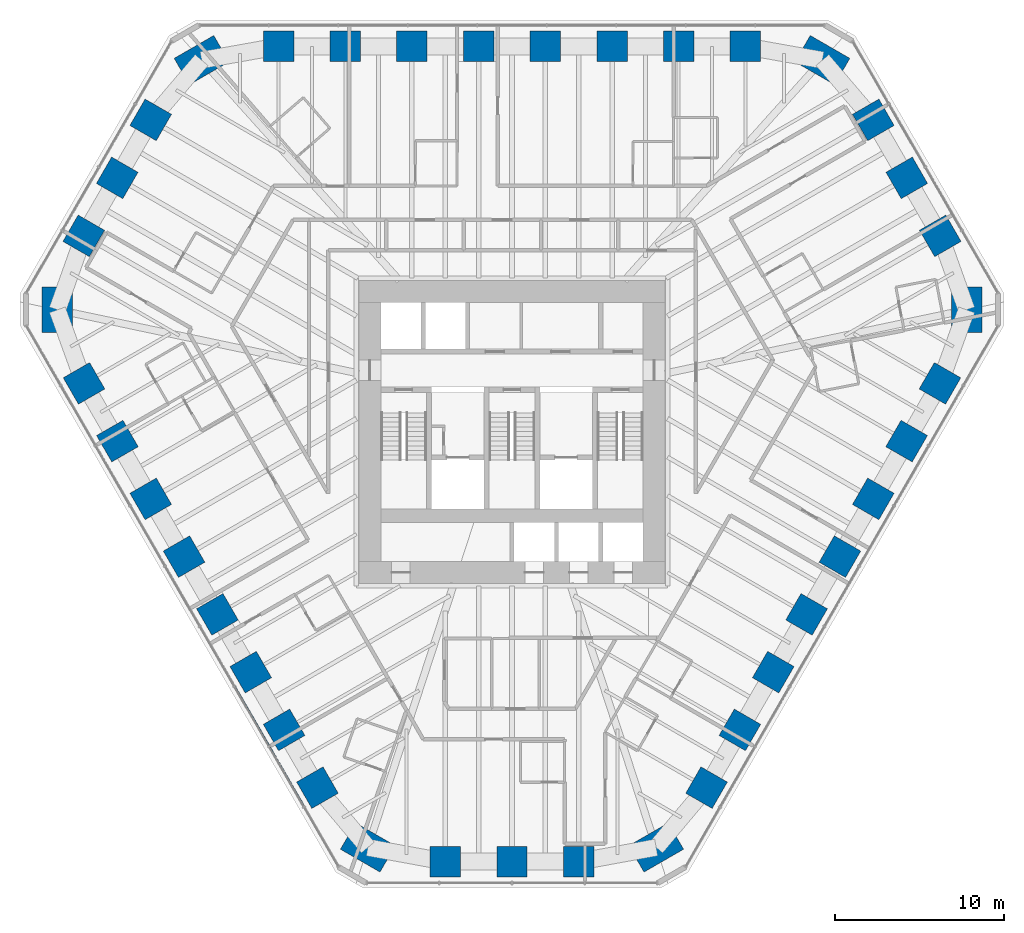
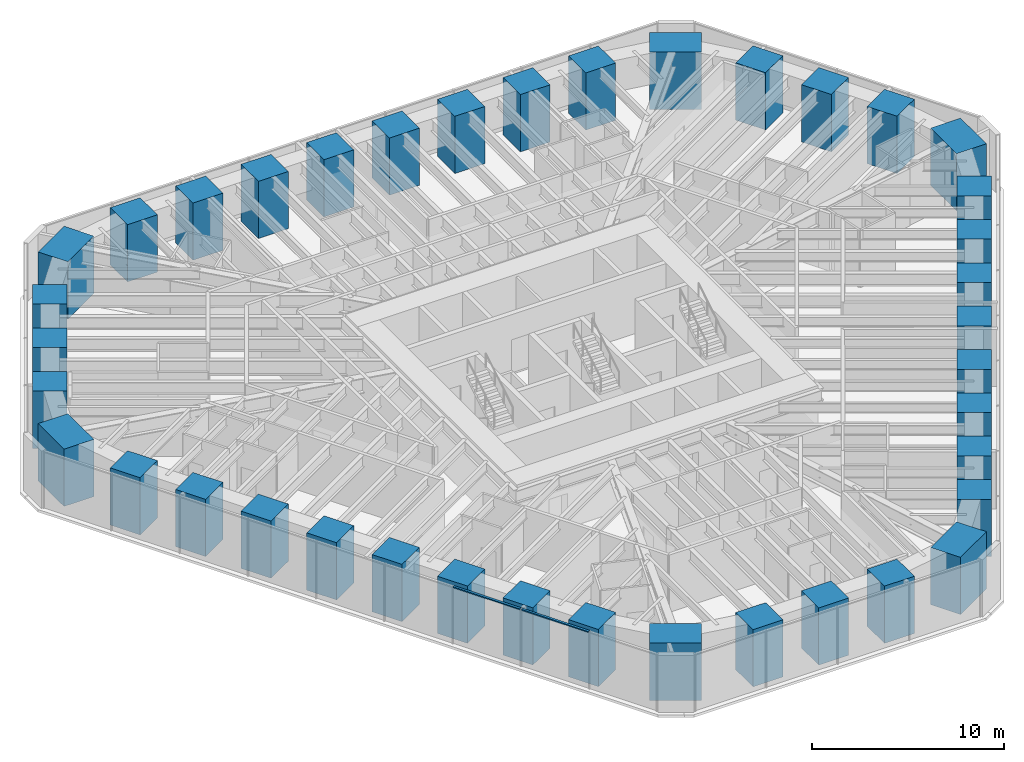
# One storey, part 1 of 17: 39 columns, 2 members, 1 element without a shape of its own.
"""IFC4 building model written with IfcOpenShell, lengths in metres."""

from ifc_helpers import new_model, si_unit, direction, frame, origin, origin_2d, place, context, subcontext, project, spatial, rectangle, extrude, clip, halfspace, material, material_profile, profile_set, type_object, element, aggregate, save


model = new_model("IFC4")

# Units and contexts
model_context = context("Model", 3, precision=1e-05, world=origin(), true_north=direction((0.0, 1.0)))
body_context = subcontext(model_context, "Body", "Model", "MODEL_VIEW")
ifc_project = project(units=[si_unit("LENGTHUNIT", "METRE"), si_unit("AREAUNIT", "SQUARE_METRE"), si_unit("VOLUMEUNIT", "CUBIC_METRE"), si_unit("PLANEANGLEUNIT", "RADIAN"), si_unit("MASSUNIT", "GRAM", prefix="KILO")], contexts=[model_context])

# Site, building, storey
site_placement = place(None, origin())
site = spatial("IfcSite", under=ifc_project, at=site_placement, CompositionType="ELEMENT")
building_placement = place(site_placement, origin())
building = spatial("IfcBuilding", under=site, at=building_placement, Name="Sandreach Pilgrim Tower", CompositionType="ELEMENT")
storey_placement = place(building_placement, frame((0.0, 0.0, 146.199951171875)))
storey = spatial("IfcBuildingStorey", under=building, at=storey_placement, Name="L36", CompositionType="ELEMENT", Elevation=146.199951171875)

# Columns
ifc_material_1 = material(Name="Concrete 10000 psi", Category="concrete")
ifc_material_profile_1 = material_profile(ifc_material_1, rectangle(XDim=1.800048828125, YDim=1.800048828125, at=origin_2d()), Name="RC1800X1800")
ifc_profile_set_1 = profile_set([ifc_material_profile_1], Name="Concrete 10000 psi")
column_type_1 = type_object("IfcColumnType", Name="Tube column RC1800X1800", PredefinedType="COLUMN", material=ifc_profile_set_1)
column_1_placement = place(storey_placement, frame((-13.789794921875, 21.23388671875, 0.0), z_axis=(0.0, 0.0, 1.0), x_axis=(0.0, 1.0, 0.0)))
element("IfcColumn", 1, at=column_1_placement, inside=storey, type_object=column_type_1, Name="COL L36 T01", PredefinedType="COLUMN", context=body_context, shape_type="SweptSolid", body=[
    clip(extrude(rectangle(XDim=1.800048828125, YDim=1.800048828125, at=origin_2d()), origin(), (0.0, 0.0, 1.0), 3.72998046875), halfspace(frame((0.0, 0.0, 3.64013671875)), False)),
])
column_2_placement = place(storey_placement, frame((-9.849853515625, 21.23388671875, 0.0), z_axis=(0.0, 0.0, 1.0), x_axis=(0.0, 1.0, 0.0)))
element("IfcColumn", 2, at=column_2_placement, inside=storey, type_object=column_type_1, Name="COL L36 T02", PredefinedType="COLUMN", context=body_context, shape_type="SweptSolid", body=[
    clip(extrude(rectangle(XDim=1.800048828125, YDim=1.800048828125, at=origin_2d()), origin(), (0.0, 0.0, 1.0), 3.73779296875), halfspace(frame((0.0, 0.0, 3.64013671875)), False)),
])
column_3_placement = place(storey_placement, frame((-5.909912109375, 21.23388671875, 0.0), z_axis=(0.0, 0.0, 1.0), x_axis=(0.0, 1.0, 0.0)))
element("IfcColumn", 3, at=column_3_placement, inside=storey, type_object=column_type_1, Name="COL L36 T03", PredefinedType="COLUMN", context=body_context, shape_type="SweptSolid", body=[
    clip(extrude(rectangle(XDim=1.800048828125, YDim=1.800048828125, at=origin_2d()), origin(), (0.0, 0.0, 1.0), 3.74560546875), halfspace(frame((0.0, 0.0, 3.64013671875)), False)),
])
for number, where, z_axis, x_axis, name in (
    (4, (-1.969970703125, 21.23388671875, 0.0), (0.0, 0.0, 1.0), (0.0, 1.0, 0.0), "COL L36 T04"),
    (5, (1.969970703125, 21.23388671875, 0.0), (0.0, 0.0, 1.0), (0.0, 1.0, 0.0), "COL L36 T05"),
):
    element("IfcColumn", number, at=place(storey_placement, frame(where, z_axis=z_axis, x_axis=x_axis)), inside=storey, type_object=column_type_1, Name=name, PredefinedType="COLUMN", context=body_context, shape_type="SweptSolid", body=[
        clip(extrude(rectangle(XDim=1.800048828125, YDim=1.800048828125, at=origin_2d()), origin(), (0.0, 0.0, 1.0), 3.753662109375), halfspace(frame((0.0, 0.0, 3.64013671875)), False)),
    ])
column_4_placement = place(storey_placement, frame((5.909912109375, 21.23388671875, 0.0), z_axis=(0.0, 0.0, 1.0), x_axis=(0.0, 1.0, 0.0)))
element("IfcColumn", 6, at=column_4_placement, inside=storey, type_object=column_type_1, Name="COL L36 T06", PredefinedType="COLUMN", context=body_context, shape_type="SweptSolid", body=[
    clip(extrude(rectangle(XDim=1.800048828125, YDim=1.800048828125, at=origin_2d()), origin(), (0.0, 0.0, 1.0), 3.74560546875), halfspace(frame((0.0, 0.0, 3.64013671875)), False)),
])
column_5_placement = place(storey_placement, frame((9.849853515625, 21.23388671875, 0.0), z_axis=(0.0, 0.0, 1.0), x_axis=(0.0, 1.0, 0.0)))
element("IfcColumn", 7, at=column_5_placement, inside=storey, type_object=column_type_1, Name="COL L36 T07", PredefinedType="COLUMN", context=body_context, shape_type="SweptSolid", body=[
    clip(extrude(rectangle(XDim=1.800048828125, YDim=1.800048828125, at=origin_2d()), origin(), (0.0, 0.0, 1.0), 3.73779296875), halfspace(frame((0.0, 0.0, 3.64013671875)), False)),
])
column_6_placement = place(storey_placement, frame((13.789794921875, 21.23388671875, 0.0), z_axis=(0.0, 0.0, 1.0), x_axis=(0.0, 1.0, 0.0)))
element("IfcColumn", 8, at=column_6_placement, inside=storey, type_object=column_type_1, Name="COL L36 T08", PredefinedType="COLUMN", context=body_context, shape_type="SweptSolid", body=[
    clip(extrude(rectangle(XDim=1.800048828125, YDim=1.800048828125, at=origin_2d()), origin(), (0.0, 0.0, 1.0), 3.72998046875), halfspace(frame((0.0, 0.0, 3.64013671875)), False)),
])
column_7_placement = place(storey_placement, frame((21.346435546875, 16.891357421875, 0.0), z_axis=(0.0, 0.0, 1.0), x_axis=(0.866025403784, 0.5, 0.0)))
element("IfcColumn", 9, at=column_7_placement, inside=storey, type_object=column_type_1, Name="COL L36 T10", PredefinedType="COLUMN", context=body_context, shape_type="SweptSolid", body=[
    clip(extrude(rectangle(XDim=1.800048828125, YDim=1.800048828125, at=origin_2d()), origin(), (0.0, 0.0, 1.0), 3.7392578125), halfspace(frame((0.0, 0.0, 3.64013671875)), False)),
])
column_8_placement = place(storey_placement, frame((23.323974609375, 13.466064453125, 0.0), z_axis=(0.0, 0.0, 1.0), x_axis=(0.866025403784, 0.5, 0.0)))
element("IfcColumn", 10, at=column_8_placement, inside=storey, type_object=column_type_1, Name="COL L36 T11", PredefinedType="COLUMN", context=body_context, shape_type="SweptSolid", body=[
    clip(extrude(rectangle(XDim=1.800048828125, YDim=1.800048828125, at=origin_2d()), origin(), (0.0, 0.0, 1.0), 3.746826171875), halfspace(frame((0.0, 0.0, 3.64013671875)), False)),
])
column_9_placement = place(storey_placement, frame((25.301513671875, 10.040771484375, 0.0), z_axis=(0.0, 0.0, 1.0), x_axis=(0.866025403784, 0.5, 0.0)))
element("IfcColumn", 11, at=column_9_placement, inside=storey, type_object=column_type_1, Name="COL L36 T12", PredefinedType="COLUMN", context=body_context, shape_type="SweptSolid", body=[
    clip(extrude(rectangle(XDim=1.800048828125, YDim=1.800048828125, at=origin_2d()), origin(), (0.0, 0.0, 1.0), 3.7392578125), halfspace(frame((0.0, 0.0, 3.64013671875)), False)),
])
column_10_placement = place(storey_placement, frame((25.283935546875, 1.325439453125, 0.0), z_axis=(0.0, 0.0, 1.0), x_axis=(0.866025403784, -0.5, 0.0)))
element("IfcColumn", 12, at=column_10_placement, inside=storey, type_object=column_type_1, Name="COL L36 T14", PredefinedType="COLUMN", context=body_context, shape_type="SweptSolid", body=[
    clip(extrude(rectangle(XDim=1.800048828125, YDim=1.800048828125, at=origin_2d()), origin(), (0.0, 0.0, 1.0), 3.72998046875), halfspace(frame((0.0, 0.0, 3.64013671875)), False)),
])
column_11_placement = place(storey_placement, frame((23.31396484375, -2.086669921875, 0.0), z_axis=(0.0, 0.0, 1.0), x_axis=(0.866025403784, -0.5, 0.0)))
element("IfcColumn", 13, at=column_11_placement, inside=storey, type_object=column_type_1, Name="COL L36 T15", PredefinedType="COLUMN", context=body_context, shape_type="SweptSolid", body=[
    clip(extrude(rectangle(XDim=1.800048828125, YDim=1.800048828125, at=origin_2d()), origin(), (0.0, 0.0, 1.0), 3.73779296875), halfspace(frame((0.0, 0.0, 3.64013671875)), False)),
])
column_12_placement = place(storey_placement, frame((21.343994140625, -5.498779296875, 0.0), z_axis=(0.0, 0.0, 1.0), x_axis=(0.866025403784, -0.5, 0.0)))
element("IfcColumn", 14, at=column_12_placement, inside=storey, type_object=column_type_1, Name="COL L36 T16", PredefinedType="COLUMN", context=body_context, shape_type="SweptSolid", body=[
    clip(extrude(rectangle(XDim=1.800048828125, YDim=1.800048828125, at=origin_2d()), origin(), (0.0, 0.0, 1.0), 3.74560546875), halfspace(frame((0.0, 0.0, 3.64013671875)), False)),
])
for number, where, z_axis, x_axis, name in (
    (15, (19.3740234375, -8.910888671875, 0.0), (0.0, 0.0, 1.0), (0.866025403784, -0.5, 0.0), "COL L36 T17"),
    (16, (17.404052734375, -12.322998046875, 0.0), (0.0, 0.0, 1.0), (0.866025403784, -0.5, 0.0), "COL L36 T18"),
):
    element("IfcColumn", number, at=place(storey_placement, frame(where, z_axis=z_axis, x_axis=x_axis)), inside=storey, type_object=column_type_1, Name=name, PredefinedType="COLUMN", context=body_context, shape_type="SweptSolid", body=[
        clip(extrude(rectangle(XDim=1.800048828125, YDim=1.800048828125, at=origin_2d()), origin(), (0.0, 0.0, 1.0), 3.753662109375), halfspace(frame((0.0, 0.0, 3.64013671875)), False)),
    ])
column_13_placement = place(storey_placement, frame((15.43408203125, -15.735107421875, 0.0), z_axis=(0.0, 0.0, 1.0), x_axis=(0.866025403784, -0.5, 0.0)))
element("IfcColumn", 17, at=column_13_placement, inside=storey, type_object=column_type_1, Name="COL L36 T19", PredefinedType="COLUMN", context=body_context, shape_type="SweptSolid", body=[
    clip(extrude(rectangle(XDim=1.800048828125, YDim=1.800048828125, at=origin_2d()), origin(), (0.0, 0.0, 1.0), 3.74560546875), halfspace(frame((0.0, 0.0, 3.64013671875)), False)),
])
column_14_placement = place(storey_placement, frame((13.464111328125, -19.147216796875, 0.0), z_axis=(0.0, 0.0, 1.0), x_axis=(0.866025403784, -0.5, 0.0)))
element("IfcColumn", 18, at=column_14_placement, inside=storey, type_object=column_type_1, Name="COL L36 T20", PredefinedType="COLUMN", context=body_context, shape_type="SweptSolid", body=[
    clip(extrude(rectangle(XDim=1.800048828125, YDim=1.800048828125, at=origin_2d()), origin(), (0.0, 0.0, 1.0), 3.73779296875), halfspace(frame((0.0, 0.0, 3.64013671875)), False)),
])
column_15_placement = place(storey_placement, frame((11.494140625, -22.559326171875, 0.0), z_axis=(0.0, 0.0, 1.0), x_axis=(0.866025403784, -0.5, 0.0)))
element("IfcColumn", 19, at=column_15_placement, inside=storey, type_object=column_type_1, Name="COL L36 T21", PredefinedType="COLUMN", context=body_context, shape_type="SweptSolid", body=[
    clip(extrude(rectangle(XDim=1.800048828125, YDim=1.800048828125, at=origin_2d()), origin(), (0.0, 0.0, 1.0), 3.72998046875), halfspace(frame((0.0, 0.0, 3.64013671875)), False)),
])
column_16_placement = place(storey_placement, frame((3.955322265625, -26.93212890625, 0.0), z_axis=(0.0, 0.0, 1.0), x_axis=(0.0, -1.0, 0.0)))
element("IfcColumn", 20, at=column_16_placement, inside=storey, type_object=column_type_1, Name="COL L36 T23", PredefinedType="COLUMN", context=body_context, shape_type="SweptSolid", body=[
    clip(extrude(rectangle(XDim=1.800048828125, YDim=1.800048828125, at=origin_2d()), origin(), (0.0, 0.0, 1.0), 3.7392578125), halfspace(frame((0.0, 0.0, 3.64013671875)), False)),
])
column_17_placement = place(storey_placement, frame((0.0, -26.93212890625, 0.0), z_axis=(0.0, 0.0, 1.0), x_axis=(0.0, -1.0, 0.0)))
element("IfcColumn", 21, at=column_17_placement, inside=storey, type_object=column_type_1, Name="COL L36 T24", PredefinedType="COLUMN", context=body_context, shape_type="SweptSolid", body=[
    clip(extrude(rectangle(XDim=1.800048828125, YDim=1.800048828125, at=origin_2d()), origin(), (0.0, 0.0, 1.0), 3.746826171875), halfspace(frame((0.0, 0.0, 3.64013671875)), False)),
])
column_18_placement = place(storey_placement, frame((-3.955322265625, -26.93212890625, 0.0), z_axis=(0.0, 0.0, 1.0), x_axis=(0.0, -1.0, 0.0)))
element("IfcColumn", 22, at=column_18_placement, inside=storey, type_object=column_type_1, Name="COL L36 T25", PredefinedType="COLUMN", context=body_context, shape_type="SweptSolid", body=[
    clip(extrude(rectangle(XDim=1.800048828125, YDim=1.800048828125, at=origin_2d()), origin(), (0.0, 0.0, 1.0), 3.7392578125), halfspace(frame((0.0, 0.0, 3.64013671875)), False)),
])
column_19_placement = place(storey_placement, frame((-11.494140625, -22.559326171875, 0.0), z_axis=(0.0, 0.0, 1.0), x_axis=(-0.866025403784, -0.5, 0.0)))
element("IfcColumn", 23, at=column_19_placement, inside=storey, type_object=column_type_1, Name="COL L36 T27", PredefinedType="COLUMN", context=body_context, shape_type="SweptSolid", body=[
    clip(extrude(rectangle(XDim=1.800048828125, YDim=1.800048828125, at=origin_2d()), origin(), (0.0, 0.0, 1.0), 3.72998046875), halfspace(frame((0.0, 0.0, 3.64013671875)), False)),
])
column_20_placement = place(storey_placement, frame((-13.464111328125, -19.147216796875, 0.0), z_axis=(0.0, 0.0, 1.0), x_axis=(-0.866025403784, -0.5, 0.0)))
element("IfcColumn", 24, at=column_20_placement, inside=storey, type_object=column_type_1, Name="COL L36 T28", PredefinedType="COLUMN", context=body_context, shape_type="SweptSolid", body=[
    clip(extrude(rectangle(XDim=1.800048828125, YDim=1.800048828125, at=origin_2d()), origin(), (0.0, 0.0, 1.0), 3.73779296875), halfspace(frame((0.0, 0.0, 3.64013671875)), False)),
])
column_21_placement = place(storey_placement, frame((-15.43408203125, -15.735107421875, 0.0), z_axis=(0.0, 0.0, 1.0), x_axis=(-0.866025403784, -0.5, 0.0)))
element("IfcColumn", 25, at=column_21_placement, inside=storey, type_object=column_type_1, Name="COL L36 T29", PredefinedType="COLUMN", context=body_context, shape_type="SweptSolid", body=[
    clip(extrude(rectangle(XDim=1.800048828125, YDim=1.800048828125, at=origin_2d()), origin(), (0.0, 0.0, 1.0), 3.74560546875), halfspace(frame((0.0, 0.0, 3.64013671875)), False)),
])
for number, where, z_axis, x_axis, name in (
    (26, (-17.404052734375, -12.322998046875, 0.0), (0.0, 0.0, 1.0), (-0.866025403784, -0.5, 0.0), "COL L36 T30"),
    (27, (-19.3740234375, -8.910888671875, 0.0), (0.0, 0.0, 1.0), (-0.866025403784, -0.5, 0.0), "COL L36 T31"),
):
    element("IfcColumn", number, at=place(storey_placement, frame(where, z_axis=z_axis, x_axis=x_axis)), inside=storey, type_object=column_type_1, Name=name, PredefinedType="COLUMN", context=body_context, shape_type="SweptSolid", body=[
        clip(extrude(rectangle(XDim=1.800048828125, YDim=1.800048828125, at=origin_2d()), origin(), (0.0, 0.0, 1.0), 3.753662109375), halfspace(frame((0.0, 0.0, 3.64013671875)), False)),
    ])
column_22_placement = place(storey_placement, frame((-21.343994140625, -5.498779296875, 0.0), z_axis=(0.0, 0.0, 1.0), x_axis=(-0.866025403784, -0.5, 0.0)))
element("IfcColumn", 28, at=column_22_placement, inside=storey, type_object=column_type_1, Name="COL L36 T32", PredefinedType="COLUMN", context=body_context, shape_type="SweptSolid", body=[
    clip(extrude(rectangle(XDim=1.800048828125, YDim=1.800048828125, at=origin_2d()), origin(), (0.0, 0.0, 1.0), 3.74560546875), halfspace(frame((0.0, 0.0, 3.64013671875)), False)),
])
column_23_placement = place(storey_placement, frame((-23.31396484375, -2.086669921875, 0.0), z_axis=(0.0, 0.0, 1.0), x_axis=(-0.866025403784, -0.5, 0.0)))
element("IfcColumn", 29, at=column_23_placement, inside=storey, type_object=column_type_1, Name="COL L36 T33", PredefinedType="COLUMN", context=body_context, shape_type="SweptSolid", body=[
    clip(extrude(rectangle(XDim=1.800048828125, YDim=1.800048828125, at=origin_2d()), origin(), (0.0, 0.0, 1.0), 3.73779296875), halfspace(frame((0.0, 0.0, 3.64013671875)), False)),
])
column_24_placement = place(storey_placement, frame((-25.283935546875, 1.325439453125, 0.0), z_axis=(0.0, 0.0, 1.0), x_axis=(-0.866025403784, -0.5, 0.0)))
element("IfcColumn", 30, at=column_24_placement, inside=storey, type_object=column_type_1, Name="COL L36 T34", PredefinedType="COLUMN", context=body_context, shape_type="SweptSolid", body=[
    clip(extrude(rectangle(XDim=1.800048828125, YDim=1.800048828125, at=origin_2d()), origin(), (0.0, 0.0, 1.0), 3.72998046875), halfspace(frame((0.0, 0.0, 3.64013671875)), False)),
])
column_25_placement = place(storey_placement, frame((-25.301513671875, 10.040771484375, 0.0), z_axis=(0.0, 0.0, 1.0), x_axis=(-0.866025403784, 0.5, 0.0)))
element("IfcColumn", 31, at=column_25_placement, inside=storey, type_object=column_type_1, Name="COL L36 T36", PredefinedType="COLUMN", context=body_context, shape_type="SweptSolid", body=[
    clip(extrude(rectangle(XDim=1.800048828125, YDim=1.800048828125, at=origin_2d()), origin(), (0.0, 0.0, 1.0), 3.7392578125), halfspace(frame((0.0, 0.0, 3.64013671875)), False)),
])
column_26_placement = place(storey_placement, frame((-23.323974609375, 13.466064453125, 0.0), z_axis=(0.0, 0.0, 1.0), x_axis=(-0.866025403784, 0.5, 0.0)))
element("IfcColumn", 32, at=column_26_placement, inside=storey, type_object=column_type_1, Name="COL L36 T37", PredefinedType="COLUMN", context=body_context, shape_type="SweptSolid", body=[
    clip(extrude(rectangle(XDim=1.800048828125, YDim=1.800048828125, at=origin_2d()), origin(), (0.0, 0.0, 1.0), 3.746826171875), halfspace(frame((0.0, 0.0, 3.64013671875)), False)),
])
column_27_placement = place(storey_placement, frame((-21.346435546875, 16.891357421875, 0.0), z_axis=(0.0, 0.0, 1.0), x_axis=(-0.866025403784, 0.5, 0.0)))
element("IfcColumn", 33, at=column_27_placement, inside=storey, type_object=column_type_1, Name="COL L36 T38", PredefinedType="COLUMN", context=body_context, shape_type="SweptSolid", body=[
    clip(extrude(rectangle(XDim=1.800048828125, YDim=1.800048828125, at=origin_2d()), origin(), (0.0, 0.0, 1.0), 3.7392578125), halfspace(frame((0.0, 0.0, 3.64013671875)), False)),
])
ifc_material_2 = material(Name="Concrete 10000 psi", Category="concrete")
ifc_material_profile_2 = material_profile(ifc_material_2, rectangle(XDim=1.800048828125, YDim=2.699951171875, at=origin_2d()), Name="RC1800X2700")
ifc_profile_set_2 = profile_set([ifc_material_profile_2], Name="Concrete 10000 psi")
column_type_2 = type_object("IfcColumnType", Name="Tube corner pier RC1800X2700", PredefinedType="COLUMN", material=ifc_profile_set_2)
for number, where, z_axis, x_axis, name in (
    (34, (18.33935546875, 20.423828125, 0.0), (0.0, 0.0, 1.0), (0.5, 0.866025403784, 0.0), "COL L36 T09"),
    (35, (26.857177734375, 5.67041015625, 0.0), (0.0, 0.0, 1.0), (1.0, 0.0, 0.0), "COL L36 T13"),
    (36, (8.517822265625, -26.09423828125, 0.0), (0.0, 0.0, 1.0), (0.5, -0.866025403784, 0.0), "COL L36 T22"),
    (37, (-8.517822265625, -26.09423828125, 0.0), (0.0, 0.0, 1.0), (-0.5, -0.866025403784, 0.0), "COL L36 T26"),
    (38, (-26.857177734375, 5.67041015625, 0.0), (0.0, 0.0, 1.0), (-1.0, 0.0, 0.0), "COL L36 T35"),
    (39, (-18.33935546875, 20.423828125, 0.0), (0.0, 0.0, 1.0), (-0.5, 0.866025403784, 0.0), "COL L36 T39"),
):
    element("IfcColumn", number, at=place(storey_placement, frame(where, z_axis=z_axis, x_axis=x_axis)), inside=storey, type_object=column_type_2, Name=name, PredefinedType="COLUMN", context=body_context, shape_type="SweptSolid", body=[
        clip(extrude(rectangle(XDim=1.800048828125, YDim=2.699951171875, at=origin_2d()), origin(), (0.0, 0.0, 1.0), 3.728759765625), halfspace(frame((0.0, 0.0, 3.64013671875)), False)),
    ])

# Curtain wall, members
ifc_material_3 = material(Name="Aluminium framed curtain wall", Category="aluminium")
curtain_wall_type = type_object("IfcCurtainWallType", Name="Hotel tower curtain wall", PredefinedType="NOTDEFINED", material=ifc_material_3)
curtain_wall_placement = place(storey_placement, origin())
curtain_wall = element("IfcCurtainWall", 40, at=curtain_wall_placement, inside=storey, type_object=curtain_wall_type, Name="CW-2 L36 SW", PredefinedType="NOTDEFINED")
ifc_material_4 = material(Name="Aluminium extrusion", Category="aluminium")
ifc_material_profile_3 = material_profile(ifc_material_4, rectangle(XDim=0.139892578125, YDim=0.070068359375, at=origin_2d()), Name="CW-2T 140X70")
ifc_profile_set_3 = profile_set([ifc_material_profile_3], Name="Aluminium extrusion")
member_type = type_object("IfcMemberType", Name="CW-2 transom", PredefinedType="USERDEFINED", material=ifc_profile_set_3)
member_1_placement = place(storey_placement, frame((-12.309326171875, -23.667236328125, 3.60498046875), z_axis=(-0.500023973715, 0.866011562111, 0.0), x_axis=(-0.866011562111, -0.500023973715, 0.0)))
member_1 = element("IfcMember", 41, at=member_1_placement, type_object=member_type, Name="CW-2 head transom 2", ObjectType="TRANSOM", PredefinedType="USERDEFINED", context=body_context, shape_type="SweptSolid", body=[
    extrude(rectangle(XDim=0.139892578125, YDim=0.070068359375, at=origin_2d()), origin(), (0.0, 0.0, 1.0), 4.041748046875),
])
member_2_placement = place(storey_placement, frame((-14.36279296875, -20.110595703125, 3.60498046875), z_axis=(-0.499997818338, 0.866026663364, 0.0), x_axis=(-0.866026663364, -0.499997818338, 0.0)))
member_2 = element("IfcMember", 42, at=member_2_placement, type_object=member_type, Name="CW-2 head transom 3", ObjectType="TRANSOM", PredefinedType="USERDEFINED", context=body_context, shape_type="SweptSolid", body=[
    extrude(rectangle(XDim=0.139892578125, YDim=0.070068359375, at=origin_2d()), origin(), (0.0, 0.0, 1.0), 4.0419921875),
])
aggregate(curtain_wall, [member_1, member_2])

save(model, "model.ifc")
